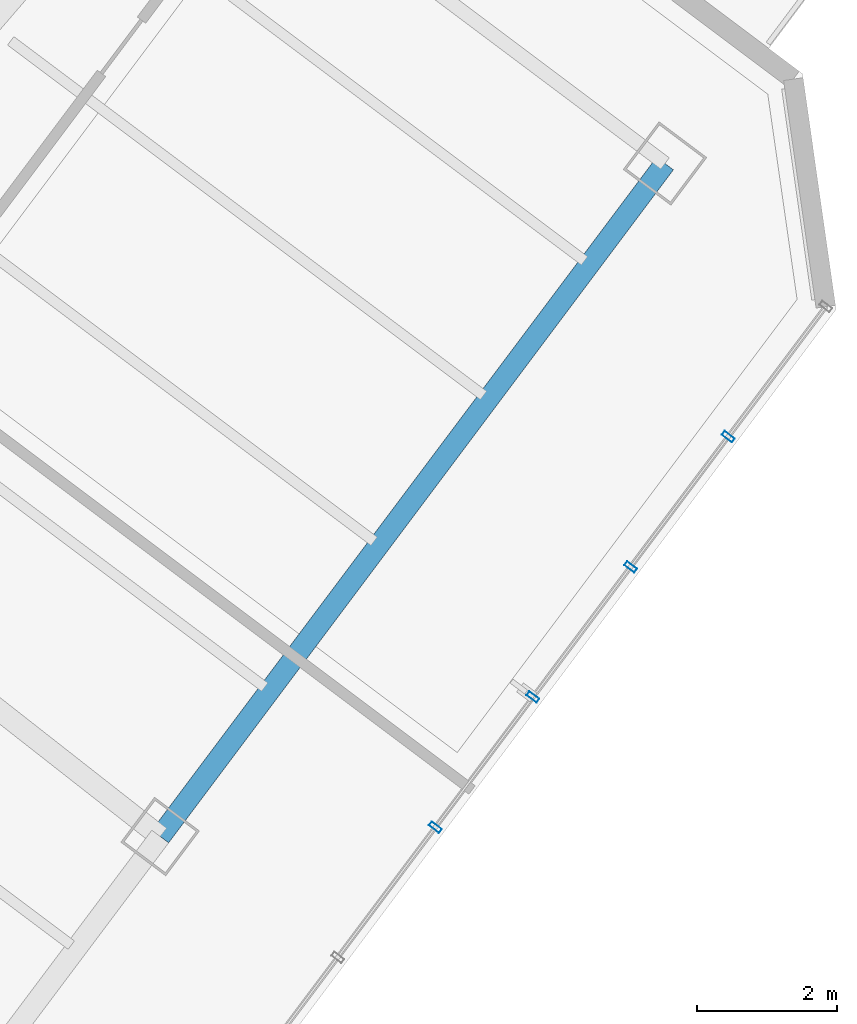
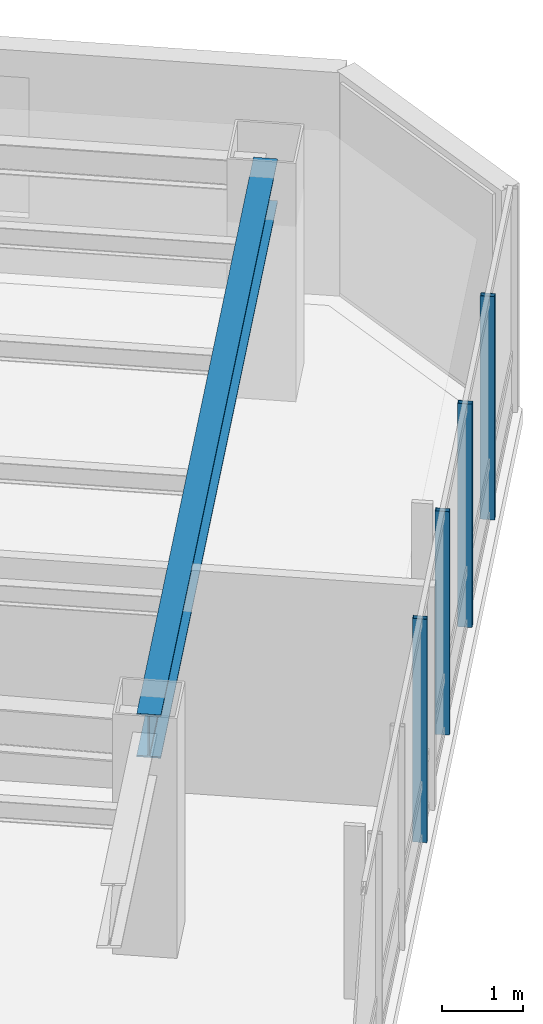
# One storey, part 13 of 28: 4 members, 1 beam, 1 element without a shape of its own.
"""IFC4 building model written with IfcOpenShell, lengths in metres."""

from ifc_helpers import new_model, si_unit, direction, frame, origin, origin_2d, place, context, subcontext, project, spatial, hollow_rectangle, i_section, extrude, material, layer, layer_set, material_profile, profile_set, type_object, element, aggregate, save


model = new_model("IFC4")

# Units and contexts
model_context = context("Model", 3, precision=1e-05, world=origin(), true_north=direction((0.0, 1.0)))
body_context = subcontext(model_context, "Body", "Model", "MODEL_VIEW")
ifc_project = project(units=[si_unit("LENGTHUNIT", "METRE"), si_unit("AREAUNIT", "SQUARE_METRE"), si_unit("VOLUMEUNIT", "CUBIC_METRE"), si_unit("PLANEANGLEUNIT", "RADIAN"), si_unit("MASSUNIT", "GRAM", prefix="KILO")], contexts=[model_context])

# Site, building, storey
site_placement = place(None, origin())
site = spatial("IfcSite", under=ifc_project, at=site_placement, CompositionType="ELEMENT")
building_placement = place(site_placement, origin())
building = spatial("IfcBuilding", under=site, at=building_placement, Name="Hatsunagi Terrace Concourse", CompositionType="ELEMENT")
storey_placement = place(building_placement, frame((0.0, 0.0, 138.449951171875)))
storey = spatial("IfcBuildingStorey", under=building, at=storey_placement, Name="L36", CompositionType="ELEMENT", Elevation=138.449951171875)

# Curtain wall, members
ifc_material_1 = material(Name="Anodised Aluminium Alloy 6063-T5", Category="aluminium")
ifc_layer = layer(ifc_material_1, 0.199951171875)
ifc_layer_set = layer_set([ifc_layer], Name="OfficeZone1_CW03")
curtain_wall_type = type_object("IfcCurtainWallType", Name="OfficeZone1_CW03", PredefinedType="NOTDEFINED", material=ifc_layer_set)
curtain_wall_placement = place(storey_placement, origin())
curtain_wall = element("IfcCurtainWall", 1, at=curtain_wall_placement, inside=storey, type_object=curtain_wall_type, Name="Unitised Curtain Wall CW-03 CW-L36-03", PredefinedType="NOTDEFINED")
ifc_material_2 = material(Name="Anodised Aluminium Alloy 6063-T5", Category="aluminium")
ifc_material_profile_1 = material_profile(ifc_material_2, hollow_rectangle(XDim=0.070068359375, YDim=0.179931640625, WallThickness=0.00390625, at=origin_2d()), Name="ALU-MUL-180x70x4")
ifc_profile_set_1 = profile_set([ifc_material_profile_1], Name="Anodised Aluminium Alloy 6063-T5")
member_type = type_object("IfcMemberType", Name="CurtainWallMullion_180x70", PredefinedType="MULLION", material=ifc_profile_set_1)
member_1_placement = place(storey_placement, frame((59.301025390625, 24.10205078125, 0.0), z_axis=(0.0, 0.0, 1.0), x_axis=(-0.599969314634, -0.800023013105, 0.0)))
member_1 = element("IfcMember", 2, at=member_1_placement, type_object=member_type, Name="Curtain Wall Mullion MUL-02", PredefinedType="MULLION", context=body_context, shape_type="SweptSolid", body=[
    extrude(hollow_rectangle(XDim=0.070068359375, YDim=0.179931640625, WallThickness=0.00390625, at=origin_2d()), origin(), (0.0, 0.0, 1.0), 3.35009765625),
])
member_2_placement = place(storey_placement, frame((57.908935546875, 22.2451171875, 0.0), z_axis=(0.0, 0.0, 1.0), x_axis=(-0.599969314634, -0.800023013105, 0.0)))
member_2 = element("IfcMember", 3, at=member_2_placement, type_object=member_type, Name="Curtain Wall Mullion MUL-02", PredefinedType="MULLION", context=body_context, shape_type="SweptSolid", body=[
    extrude(hollow_rectangle(XDim=0.070068359375, YDim=0.179931640625, WallThickness=0.00390625, at=origin_2d()), origin(), (0.0, 0.0, 1.0), 3.35009765625),
])
member_3_placement = place(storey_placement, frame((56.51611328125, 20.388916015625, 0.0), z_axis=(0.0, 0.0, 1.0), x_axis=(-0.599969314634, -0.800023013105, 0.0)))
member_3 = element("IfcMember", 4, at=member_3_placement, type_object=member_type, Name="Curtain Wall Mullion MUL-02", PredefinedType="MULLION", context=body_context, shape_type="SweptSolid", body=[
    extrude(hollow_rectangle(XDim=0.070068359375, YDim=0.179931640625, WallThickness=0.00390625, at=origin_2d()), origin(), (0.0, 0.0, 1.0), 3.35009765625),
])
member_4_placement = place(storey_placement, frame((55.1240234375, 18.531982421875, 0.0), z_axis=(0.0, 0.0, 1.0), x_axis=(-0.599969314634, -0.800023013105, 0.0)))
member_4 = element("IfcMember", 5, at=member_4_placement, type_object=member_type, Name="Curtain Wall Mullion MUL-02", PredefinedType="MULLION", context=body_context, shape_type="SweptSolid", body=[
    extrude(hollow_rectangle(XDim=0.070068359375, YDim=0.179931640625, WallThickness=0.00390625, at=origin_2d()), origin(), (0.0, 0.0, 1.0), 3.35009765625),
])
aggregate(curtain_wall, [member_1, member_2, member_3, member_4])

# Beam
ifc_material_3 = material(Name="Steel SN490B", Category="steel")
ifc_material_profile_2 = material_profile(ifc_material_3, i_section(OverallWidth=0.300048828125, OverallDepth=0.64990234375, WebThickness=0.012939453125, FlangeThickness=0.02197265625, FilletRadius=0.01806640625, at=origin_2d()), Name="H-650x300x13x22")
ifc_profile_set_2 = profile_set([ifc_material_profile_2], Name="Steel SN490B")
beam_type = type_object("IfcBeamType", Name="OfficeLowGirder_H_650x300", PredefinedType="BEAM", material=ifc_profile_set_2)
beam_placement = place(storey_placement, frame((51.199951171875, 18.39990234375, 3.025146484375), z_axis=(0.59999348959, 0.800004882766, 0.0), x_axis=(-0.800004882766, 0.59999348959, 0.0)))
element("IfcBeam", 6, at=beam_placement, inside=storey, type_object=beam_type, Name="Beam G-05 BM-L36-SET-2B", PredefinedType="BEAM", context=body_context, shape_type="SweptSolid", body=[
    extrude(i_section(OverallWidth=0.300048828125, OverallDepth=0.64990234375, WebThickness=0.012939453125, FlangeThickness=0.02197265625, FilletRadius=0.01806640625, at=origin_2d()), origin(), (0.0, 0.0, 1.0), 12.0),
])

save(model, "model.ifc")
